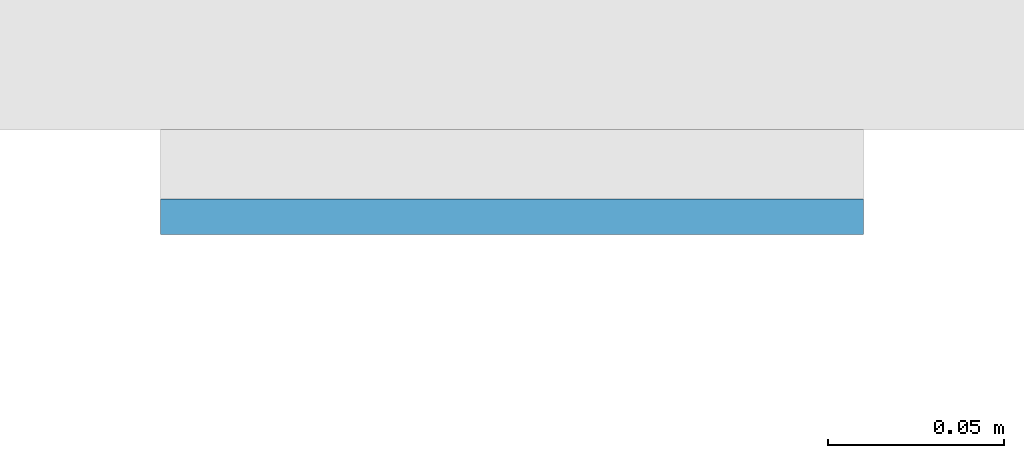
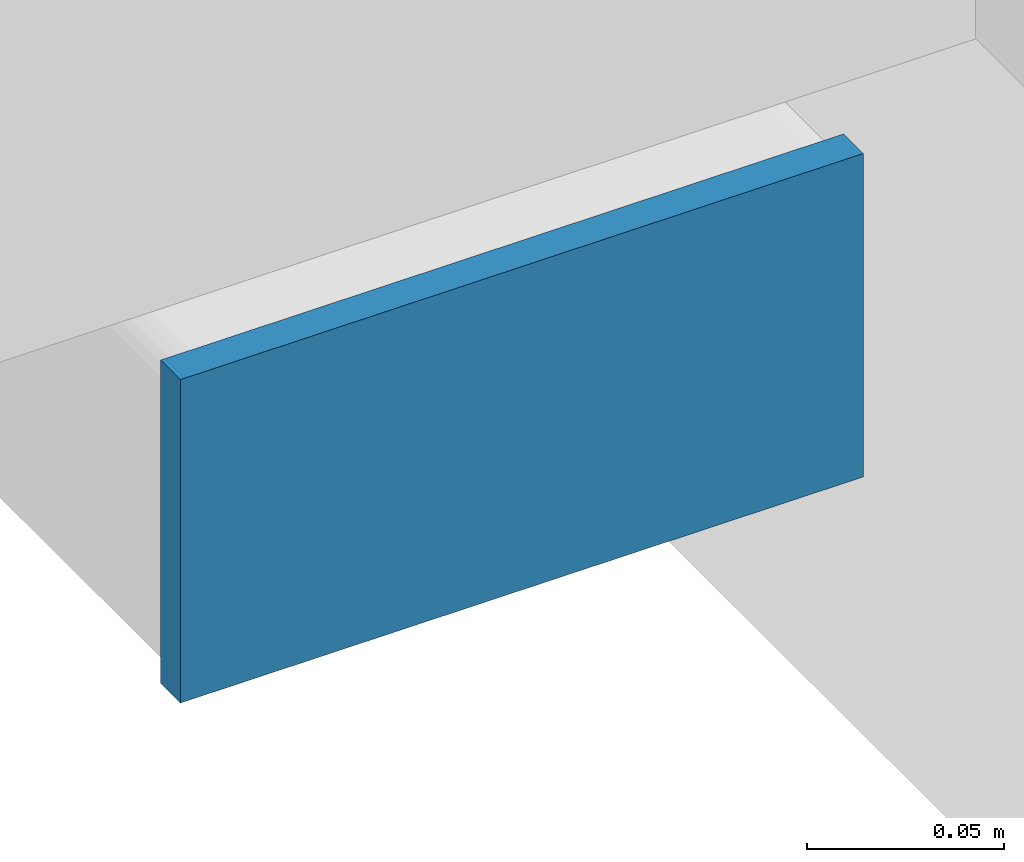
# One storey, part 8 of 20: 1 plate.
"""IFC4 building model written with IfcOpenShell, lengths in metres."""

from ifc_helpers import new_model, si_unit, direction, frame, origin, origin_2d, place, context, subcontext, project, spatial, rectangle, extrude, material, layer, layer_set, type_object, element, save


model = new_model("IFC4")

# Units and contexts
model_context = context("Model", 3, precision=1e-05, world=origin(), true_north=direction((0.0, 1.0)))
body_context = subcontext(model_context, "Body", "Model", "MODEL_VIEW")
ifc_project = project(units=[si_unit("LENGTHUNIT", "METRE"), si_unit("AREAUNIT", "SQUARE_METRE"), si_unit("VOLUMEUNIT", "CUBIC_METRE"), si_unit("PLANEANGLEUNIT", "RADIAN"), si_unit("MASSUNIT", "GRAM", prefix="KILO")], contexts=[model_context])

# Site, building, storey
site_placement = place(None, origin())
site = spatial("IfcSite", under=ifc_project, at=site_placement, CompositionType="ELEMENT")
building_placement = place(site_placement, origin())
building = spatial("IfcBuilding", under=site, at=building_placement, Name="Cleftline Residences", CompositionType="ELEMENT")
storey_placement = place(building_placement, frame((0.0, 0.0, 139.39990234375)))
storey = spatial("IfcBuildingStorey", under=building, at=storey_placement, Name="L36", CompositionType="ELEMENT", Elevation=139.39990234375)

# Plate
ifc_material = material(Name="Steel S355, hot-dip galvanised", Category="steel")
ifc_layer = layer(ifc_material, 0.010009765625)
ifc_layer_set = layer_set([ifc_layer], Name="BAGUETTE CARRIER END PLATE 200X100X10")
plate_type = type_object("IfcPlateType", Name="BAGUETTE CARRIER END PLATE 200X100X10", PredefinedType="USERDEFINED", material=ifc_layer_set)
plate_placement = place(storey_placement, frame((-0.85009765625, 3.695068359375, -0.099853515625), z_axis=(0.0, 0.0, 1.0), x_axis=(-1.0, 0.0, 0.0)))
element("IfcPlate", 1, at=plate_placement, inside=storey, type_object=plate_type, Name="Baguette carrier end plate", ObjectType="BAGUETTE CARRIER END PLATE", PredefinedType="USERDEFINED", context=body_context, shape_type="SweptSolid", body=[
    extrude(rectangle(XDim=0.199951171875, YDim=0.010009765625, at=origin_2d()), origin(), (0.0, 0.0, 1.0), 0.10009765625),
])

save(model, "model.ifc")
